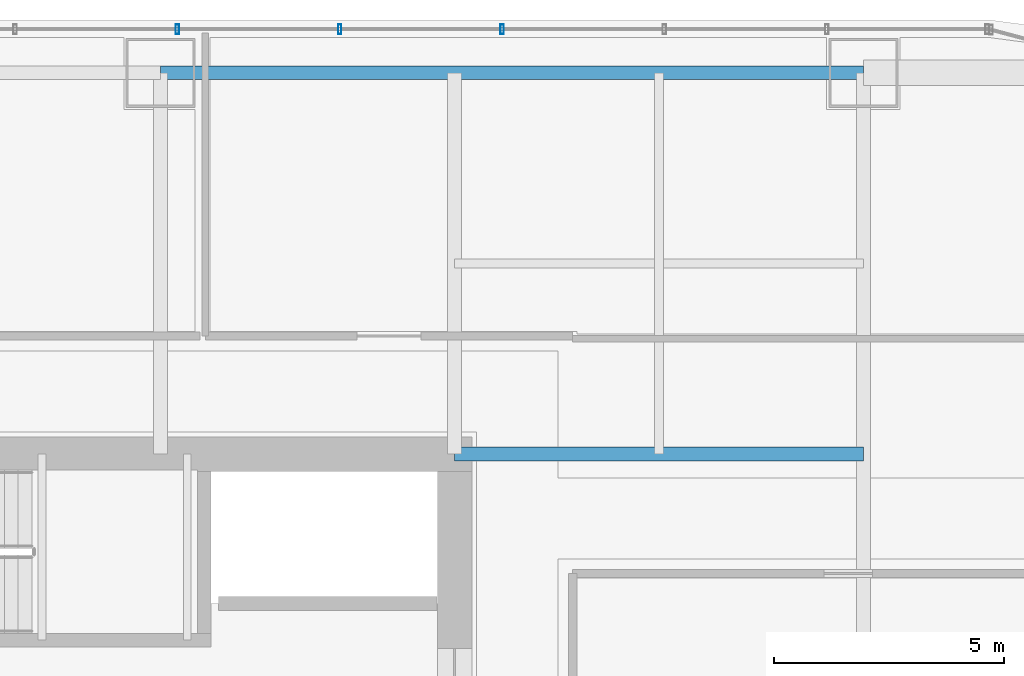
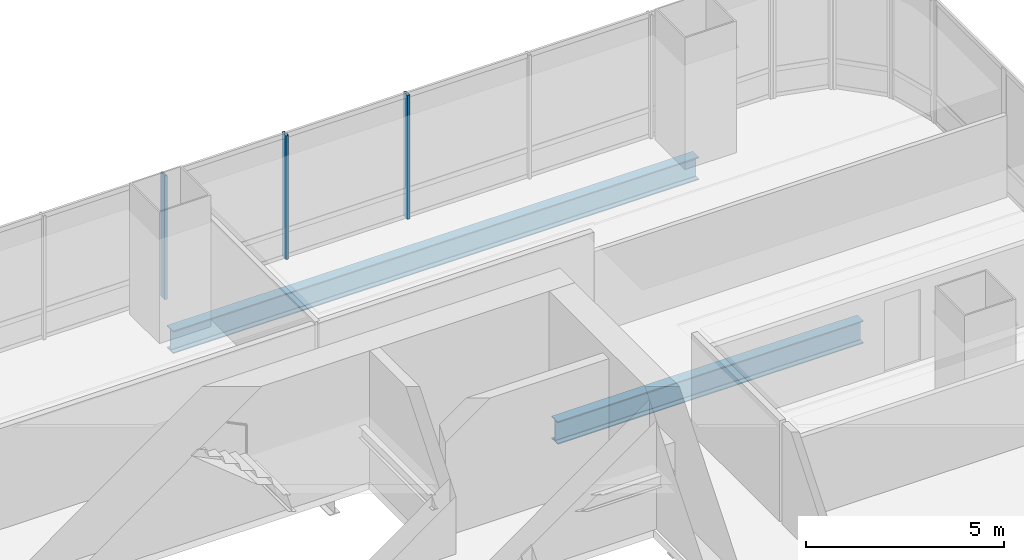
# One storey, part 22 of 35: 3 members, 2 beams, 1 element without a shape of its own.
"""IFC4 building model written with IfcOpenShell, lengths in metres."""

import ifcopenshell
import ifcopenshell.guid

model = None  # the IFC model being written
_history = None  # IfcOwnerHistory: only IFC2X3 demands one
_inside = {}  # id of a spatial element -> (the spatial element, [elements in it])
_under = {}  # id of a project, library or spatial element -> (it, [spatial elements below it])
_declared = {}  # id of a project -> (the project, [libraries it declares])
_typed = {}  # id of a type object -> (the type object, [elements of that type])
_made_of = {}  # id of a material, layer set ... -> (it, [elements and type objects made of it])


def new_model(schema):
    """Start an empty IFC model of exactly this schema.

    Asked for "IFC4X3", IfcOpenShell would pick the latest addendum, in which some entities
    have other attributes; the version numbers below select the first issue.
    IFC2X3 requires an IfcOwnerHistory on every rooted entity: one is made here for all.
    """
    global model, _history
    if schema == "IFC4X3":
        model = ifcopenshell.file(schema_version=(4, 3, 0, 0))
    else:
        model = ifcopenshell.file(schema=schema)
    _inside.clear()
    _under.clear()
    _declared.clear()
    _typed.clear()
    _made_of.clear()
    _history = None
    if model.schema == "IFC2X3":
        org = make("IfcOrganization", Name="unknown")
        user = make(
            "IfcPersonAndOrganization",
            ThePerson=make("IfcPerson", FamilyName="unknown"),
            TheOrganization=org,
        )
        app = make(
            "IfcApplication",
            ApplicationDeveloper=org,
            Version="unknown",
            ApplicationFullName="unknown",
            ApplicationIdentifier="unknown",
        )
        _history = make(
            "IfcOwnerHistory",
            OwningUser=user,
            OwningApplication=app,
            ChangeAction="ADDED",
            CreationDate=0,
        )
    return model


def make(cls, **values):
    """One entity of the class cls with the attributes given. An attribute that is None is left unset."""
    return model.create_entity(
        cls, **{name: value for name, value in values.items() if value is not None}
    )


def rooted(cls, **values):
    """An entity with a GlobalId (a new one), such as an element, a storey or a relation."""
    return make(cls, GlobalId=ifcopenshell.guid.new(), OwnerHistory=_history, **values)


def si_unit(unit_type, name, prefix=None):
    """IfcSIUnit, for example si_unit("LENGTHUNIT", "METRE", prefix="MILLI")."""
    return make("IfcSIUnit", UnitType=unit_type, Prefix=prefix, Name=name)


def assignment(units):
    """IfcUnitAssignment: the units of a project."""
    return None if units is None else make("IfcUnitAssignment", Units=units)


def point(xyz):
    """IfcCartesianPoint."""
    return None if xyz is None else make("IfcCartesianPoint", Coordinates=xyz)


def direction(xyz):
    """IfcDirection."""
    return None if xyz is None else make("IfcDirection", DirectionRatios=xyz)


def frame(location, z_axis=None, x_axis=None):
    """IfcAxis2Placement3D, a coordinate frame: its origin and axes. An axis left out is left unset."""
    return make(
        "IfcAxis2Placement3D",
        Location=point(location),
        Axis=direction(z_axis),
        RefDirection=direction(x_axis),
    )


def frame_2d(location, x_axis=None):
    """IfcAxis2Placement2D, a coordinate frame in the plane: its origin and x axis."""
    return make(
        "IfcAxis2Placement2D", Location=point(location), RefDirection=direction(x_axis)
    )


def origin():
    """The frame at (0, 0, 0) with its axes left unset."""
    return frame((0.0, 0.0, 0.0))


def origin_2d():
    """The frame at (0, 0) in the plane with its x axis left unset."""
    return frame_2d((0.0, 0.0))


def place(relative_to, where):
    """IfcLocalPlacement: puts the frame where relative to a parent placement (None: the world)."""
    return make(
        "IfcLocalPlacement", PlacementRelTo=relative_to, RelativePlacement=where
    )


def context(
    kind, dimensions, precision=None, world=None, true_north=None, identifier=None
):
    """IfcGeometricRepresentationContext, for example the 3D "Model" context."""
    return make(
        "IfcGeometricRepresentationContext",
        ContextIdentifier=identifier,
        ContextType=kind,
        CoordinateSpaceDimension=dimensions,
        Precision=precision,
        WorldCoordinateSystem=world,
        TrueNorth=true_north,
    )


def subcontext(parent, identifier, kind, view, scale=None):
    """IfcGeometricRepresentationSubContext, for example "Body" below "Model"."""
    return make(
        "IfcGeometricRepresentationSubContext",
        ContextIdentifier=identifier,
        ContextType=kind,
        ParentContext=parent,
        TargetScale=scale,
        TargetView=view,
    )


def project(units=None, contexts=None):
    """IfcProject with its units and contexts."""
    return rooted(
        "IfcProject",
        Name="project",
        RepresentationContexts=contexts,
        UnitsInContext=assignment(units),
    )


def spatial(cls, under=None, at=None, **own):
    """A site, building, storey or space (cls), placed at a placement, below another one or the project."""
    s = rooted(cls, ObjectPlacement=at, **own)
    if under is not None:
        _under.setdefault(under.id(), (under, []))[1].append(s)
    return s


def profile(cls, at=None, kind="AREA", **sizes):
    """A parametric profile (cls). Its sizes go by their IFC names, for example OverallWidth=200.0."""
    return make(cls, ProfileType=kind, Position=at, **sizes)


def hollow_rectangle(**sizes):
    """IfcRectangleHollowProfileDef."""
    return profile("IfcRectangleHollowProfileDef", **sizes)


def i_section(**sizes):
    """IfcIShapeProfileDef."""
    return profile("IfcIShapeProfileDef", **sizes)


def extrude(swept, where, along, depth):
    """IfcExtrudedAreaSolid: the profile swept, set in the frame where, extruded along a direction by depth."""
    return make(
        "IfcExtrudedAreaSolid",
        SweptArea=swept,
        Position=where,
        ExtrudedDirection=direction(along),
        Depth=depth,
    )


def shape(context_of_items, identifier, shape_type, items):
    """IfcShapeRepresentation: the items that make up one representation, for example the "Body"."""
    return make(
        "IfcShapeRepresentation",
        ContextOfItems=context_of_items,
        RepresentationIdentifier=identifier,
        RepresentationType=shape_type,
        Items=items,
    )


def material(Name=None, Category=None):
    """IfcMaterial."""
    return make("IfcMaterial", Name=Name, Category=Category)


def material_profile(
    of_material, cross_section, Name=None, Category=None, Priority=None
):
    """IfcMaterialProfile: a cross section and its material."""
    return make(
        "IfcMaterialProfile",
        Name=Name,
        Material=of_material,
        Profile=cross_section,
        Priority=Priority,
        Category=Category,
    )


def profile_set(profiles, Name=None, composite=None):
    """IfcMaterialProfileSet."""
    return make(
        "IfcMaterialProfileSet",
        Name=Name,
        MaterialProfiles=profiles,
        CompositeProfile=composite,
    )


def made_of(thing, what):
    """Note that an element or type object is made of a material, layer set ...; save() writes the relation."""
    if what is not None:
        _made_of.setdefault(what.id(), (what, []))[1].append(thing)
    return thing


def type_object(cls, material=None, **own):
    """A type object (cls), such as IfcWallType, which elements share."""
    return made_of(rooted(cls, **own), material)


def element(
    cls,
    number,
    at=None,
    inside=None,
    cuts=None,
    type_object=None,
    material=None,
    context=None,
    identifier="Body",
    shape_type=None,
    held_by="IfcProductDefinitionShape",
    body=None,
    shapes=None,
    **own,
):
    """One element of the class cls, such as IfcWall. Its Tag is "e" and its number.

    at: its placement. inside: the storey or other place that contains it. cuts: it is an
    opening in that element (IfcRelVoidsElement). A single representation is given by context,
    identifier, shape_type and body (its items); several are given by shapes. held_by: the class
    of the entity that holds the representations. save() writes the other relations.
    """
    e = rooted(cls, Tag="e%d" % number, ObjectPlacement=at, **own)
    if body is not None:
        shapes = [shape(context, identifier, shape_type, body)]
    if shapes is not None:
        e.Representation = make(held_by, Representations=shapes)
    if inside is not None:
        _inside.setdefault(inside.id(), (inside, []))[1].append(e)
    if cuts is not None:
        rooted(
            "IfcRelVoidsElement", RelatingBuildingElement=cuts, RelatedOpeningElement=e
        )
    if type_object is not None:
        _typed.setdefault(type_object.id(), (type_object, []))[1].append(e)
    return made_of(e, material)


def aggregate(whole, parts):
    """IfcRelAggregates: a whole, such as a stair, and the parts it consists of."""
    return rooted("IfcRelAggregates", RelatingObject=whole, RelatedObjects=parts)


def save(model, path):
    """Write the relations noted so far, then the file.

    IfcRelAggregates (storeys below a building ...), IfcRelContainedInSpatialStructure (elements
    in a storey), IfcRelDefinesByType, IfcRelAssociatesMaterial and IfcRelDeclares: one each for
    every whole, place, type object, material and project.
    """
    for whole, parts in _under.values():
        aggregate(whole, parts)
    for where, things in _inside.values():
        rooted(
            "IfcRelContainedInSpatialStructure",
            RelatedElements=things,
            RelatingStructure=where,
        )
    for kind, things in _typed.values():
        rooted("IfcRelDefinesByType", RelatedObjects=things, RelatingType=kind)
    for what, things in _made_of.values():
        rooted("IfcRelAssociatesMaterial", RelatedObjects=things, RelatingMaterial=what)
    for by, libraries in _declared.values():
        rooted("IfcRelDeclares", RelatingContext=by, RelatedDefinitions=libraries)
    model.write(path)


model = new_model("IFC4")

# Units and contexts
model_context = context("Model", 3, precision=1e-05, world=origin(), true_north=direction((0.0, 1.0)))
body_context = subcontext(model_context, "Body", "Model", "MODEL_VIEW")
ifc_project = project(units=[si_unit("LENGTHUNIT", "METRE"), si_unit("AREAUNIT", "SQUARE_METRE"), si_unit("VOLUMEUNIT", "CUBIC_METRE"), si_unit("PLANEANGLEUNIT", "RADIAN"), si_unit("MASSUNIT", "GRAM", prefix="KILO")], contexts=[model_context])

# Site, building, storey
site_placement = place(None, origin())
site = spatial("IfcSite", under=ifc_project, at=site_placement, CompositionType="ELEMENT")
building_placement = place(site_placement, origin())
building = spatial("IfcBuilding", under=site, at=building_placement, Name="Punatoya Terracotta Tower", CompositionType="ELEMENT")
storey_placement = place(building_placement, frame((0.0, 0.0, 68.699951171875)))
storey = spatial("IfcBuildingStorey", under=building, at=storey_placement, Name="L15", CompositionType="ELEMENT", Elevation=68.699951171875)

# Beams
ifc_material_1 = material(Name="Steel S355", Category="steel")
ifc_material_profile_1 = material_profile(ifc_material_1, i_section(OverallWidth=0.300048828125, OverallDepth=0.699951171875, WebThickness=0.01708984375, FlangeThickness=0.031982421875, FilletRadius=0.01806640625, at=origin_2d()))
ifc_profile_set_1 = profile_set([ifc_material_profile_1], Name="Steel S355")
beam_type = type_object("IfcBeamType", Name="BM-PRI-700", PredefinedType="BEAM", material=ifc_profile_set_1)
beam_1_placement = place(storey_placement, frame((3.800048828125, 17.5, -0.58984375), z_axis=(1.0, 0.0, 0.0), x_axis=(0.0, 1.0, 0.0)))
element("IfcBeam", 1, at=beam_1_placement, inside=storey, type_object=beam_type, Name="BM-L15-RG-N3", PredefinedType="BEAM", context=body_context, shape_type="SweptSolid", body=[
    extrude(i_section(OverallWidth=0.300048828125, OverallDepth=0.699951171875, WebThickness=0.01708984375, FlangeThickness=0.031982421875, FilletRadius=0.01806640625, at=origin_2d()), origin(), (0.0, 0.0, 1.0), 15.300048828125),
])
beam_2_placement = place(storey_placement, frame((10.199951171875, 9.199951171875, -0.58984375), z_axis=(1.0, 0.0, 0.0), x_axis=(0.0, 1.0, 0.0)))
element("IfcBeam", 2, at=beam_2_placement, inside=storey, type_object=beam_type, Name="BM-L15-PR-EN", PredefinedType="BEAM", context=body_context, shape_type="SweptSolid", body=[
    extrude(i_section(OverallWidth=0.300048828125, OverallDepth=0.699951171875, WebThickness=0.01708984375, FlangeThickness=0.031982421875, FilletRadius=0.01806640625, at=origin_2d()), origin(), (0.0, 0.0, 1.0), 8.900146484375),
])

# Curtain wall, members
ifc_material_2 = material(Name="Aluminium 6063-T6 + Double Low-E Glass", Category="aluminium")
curtain_wall_type = type_object("IfcCurtainWallType", Name="CW-M1", PredefinedType="NOTDEFINED", material=ifc_material_2)
curtain_wall_placement = place(storey_placement, origin())
curtain_wall = element("IfcCurtainWall", 3, at=curtain_wall_placement, inside=storey, type_object=curtain_wall_type, Name="L15 Curtain Wall CW-L15-N09-1", PredefinedType="NOTDEFINED")
ifc_material_3 = material(Name="Aluminium 6063-T6", Category="aluminium")
ifc_material_profile_2 = material_profile(ifc_material_3, hollow_rectangle(XDim=0.074951171875, YDim=0.2099609375, WallThickness=0.00439453125, at=origin_2d()))
ifc_profile_set_2 = profile_set([ifc_material_profile_2], Name="Aluminium 6063-T6")
member_type = type_object("IfcMemberType", Name="CW-MUL-M1", PredefinedType="MULLION", material=ifc_profile_set_2)
member_1_placement = place(storey_placement, frame((11.235107421875, 18.449951171875, 0.0), z_axis=(0.0, 0.0, 1.0), x_axis=(1.0, 0.0, 0.0)))
member_1 = element("IfcMember", 4, at=member_1_placement, type_object=member_type, Name="CW-L15-N09-1 Mullion 03", PredefinedType="MULLION", context=body_context, shape_type="SweptSolid", body=[
    extrude(hollow_rectangle(XDim=0.074951171875, YDim=0.2099609375, WallThickness=0.00439453125, at=origin_2d()), origin(), (0.0, 0.0, 1.0), 3.81005859375),
])
member_2_placement = place(storey_placement, frame((7.700927734375, 18.449951171875, 0.0), z_axis=(0.0, 0.0, 1.0), x_axis=(1.0, 0.0, 0.0)))
member_2 = element("IfcMember", 5, at=member_2_placement, type_object=member_type, Name="CW-L15-N09-1 Mullion 04", PredefinedType="MULLION", context=body_context, shape_type="SweptSolid", body=[
    extrude(hollow_rectangle(XDim=0.074951171875, YDim=0.2099609375, WallThickness=0.00439453125, at=origin_2d()), origin(), (0.0, 0.0, 1.0), 3.81005859375),
])
member_3_placement = place(storey_placement, frame((4.1669921875, 18.449951171875, 0.0), z_axis=(0.0, 0.0, 1.0), x_axis=(1.0, 0.0, 0.0)))
member_3 = element("IfcMember", 6, at=member_3_placement, type_object=member_type, Name="CW-L15-N09-1 Mullion 05", PredefinedType="MULLION", context=body_context, shape_type="SweptSolid", body=[
    extrude(hollow_rectangle(XDim=0.074951171875, YDim=0.2099609375, WallThickness=0.00439453125, at=origin_2d()), origin(), (0.0, 0.0, 1.0), 3.81005859375),
])
aggregate(curtain_wall, [member_1, member_2, member_3])

save(model, "model.ifc")
